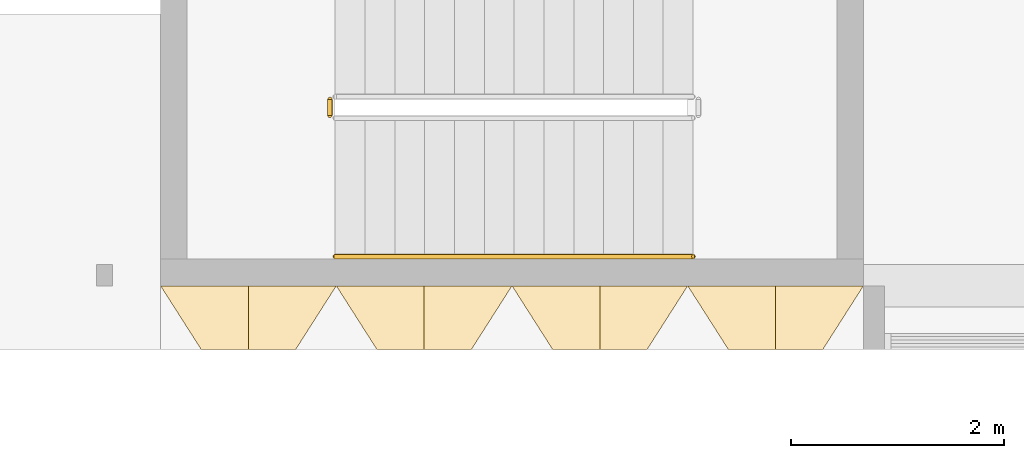
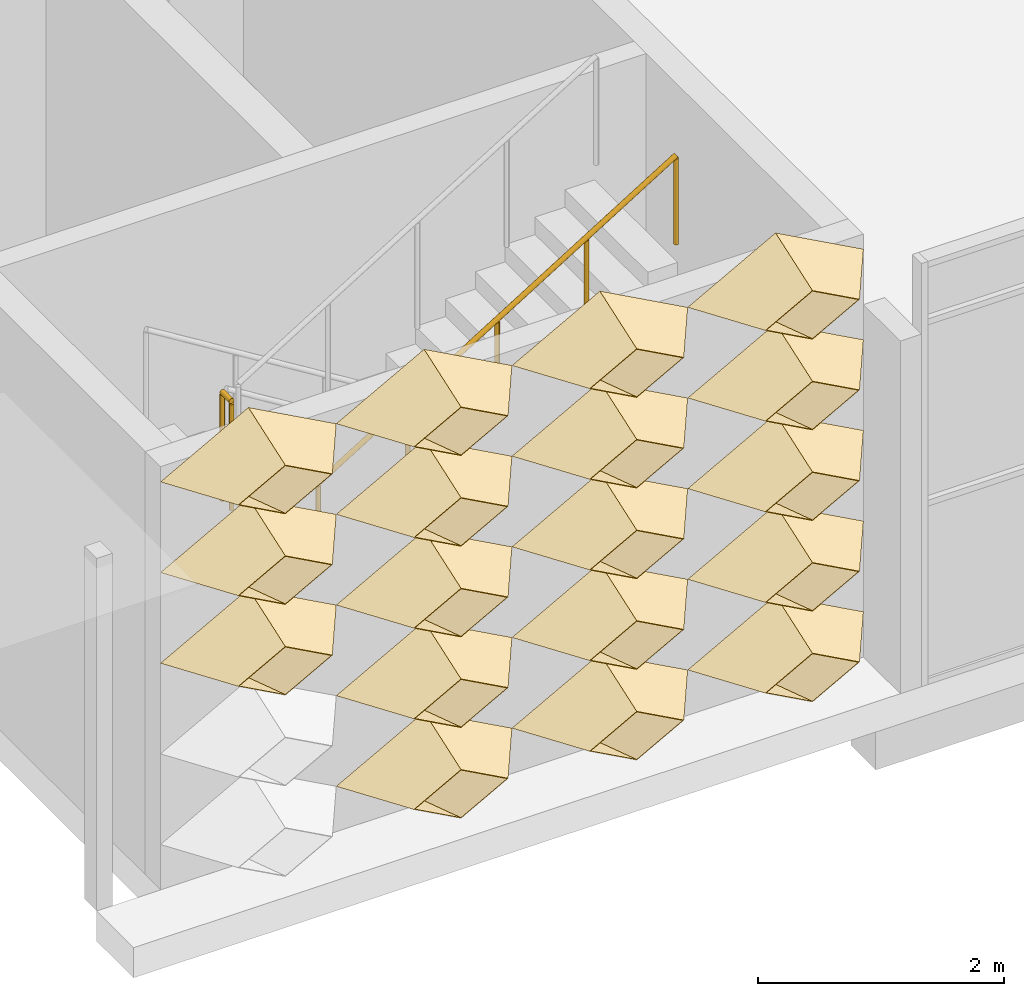
# One storey, part 68 of 109: 18 coverings, 2 railings.
"""IFC4 building model written with IfcOpenShell, lengths in metres."""

from ifc_helpers import new_model, entity, si_unit, direction, frame, origin, origin_2d, place, context, subcontext, project, spatial, circle, extrude, material, layer, layer_set, type_object, element, save


model = new_model("IFC4")

# Units and contexts
model_context = context("Model", 3, precision=1e-05, world=origin(), true_north=direction((0.0, 1.0)))
body_context = subcontext(model_context, "Body", "Model", "MODEL_VIEW")
ifc_project = project(units=[si_unit("LENGTHUNIT", "METRE"), si_unit("AREAUNIT", "SQUARE_METRE"), si_unit("VOLUMEUNIT", "CUBIC_METRE"), si_unit("PLANEANGLEUNIT", "RADIAN"), si_unit("MASSUNIT", "GRAM", prefix="KILO")], contexts=[model_context])

# Site, building, storey
site_placement = place(None, origin())
site = spatial("IfcSite", under=ifc_project, at=site_placement, CompositionType="ELEMENT")
building_placement = place(site_placement, origin())
building = spatial("IfcBuilding", under=site, at=building_placement, Name="Lantern Court Research Institute", CompositionType="ELEMENT")
storey_placement = place(building_placement, frame((0.0, 0.0, 14.39990234375)))
storey = spatial("IfcBuildingStorey", under=building, at=storey_placement, Name="L03", CompositionType="ELEMENT", Elevation=14.39990234375)

# Coverings
ifc_material_1 = material(Name="Anodised aluminium", Category="aluminium")
ifc_layer = layer(ifc_material_1, 0.01611328125)
ifc_layer_set = layer_set([ifc_layer], Name="Anodised aluminium")
covering_type = type_object("IfcCoveringType", Name="Fin cassette 1650 x 900 x 600 aluminium", PredefinedType="CLADDING", material=ifc_layer_set)
covering_1_placement = place(storey_placement, frame((55.27490234375, -7.800048828125, 0.4501953125), z_axis=(0.0, -1.0, 0.0), x_axis=(1.0, 0.0, 0.0)))
cartesian_point_1 = entity("IfcCartesianPoint", [0.824951171875, 0.0])
cartesian_point_2 = entity("IfcCartesianPoint", [0.79150390625, 0.0])
cartesian_point_3 = entity("IfcCartesianPoint", [0.44189453125, 0.0])
cartesian_point_4 = entity("IfcCartesianPoint", [0.43359375, 0.0])
element("IfcCovering", 1, at=covering_1_placement, inside=storey, type_object=covering_type, Name="Fin cassette V5S-L03 1.34", PredefinedType="CLADDING", context=body_context, shape_type="SweptSolid", body=[
    entity("IfcExtrudedAreaSolidTapered", entity("IfcArbitraryProfileDefWithVoids", "AREA", None, entity("IfcPolyline", [cartesian_point_1, entity("IfcCartesianPoint", [0.0, 0.449951171875]), entity("IfcCartesianPoint", [-0.824951171875, 0.0]), entity("IfcCartesianPoint", [0.0, -0.449951171875]), cartesian_point_1]), [entity("IfcPolyline", [cartesian_point_2, entity("IfcCartesianPoint", [0.0, 0.431884765625]), entity("IfcCartesianPoint", [-0.79150390625, 0.0]), entity("IfcCartesianPoint", [0.0, -0.431884765625]), cartesian_point_2])]), entity("IfcAxis2Placement3D", entity("IfcCartesianPoint", [0.0, 0.0, 0.0])), entity("IfcDirection", [0.0, 0.0, 1.0]), 0.60009765625, entity("IfcArbitraryProfileDefWithVoids", "AREA", None, entity("IfcPolyline", [cartesian_point_3, entity("IfcCartesianPoint", [0.0, 0.240966796875]), entity("IfcCartesianPoint", [-0.44189453125, 0.0]), entity("IfcCartesianPoint", [0.0, -0.240966796875]), cartesian_point_3]), [entity("IfcPolyline", [cartesian_point_4, entity("IfcCartesianPoint", [0.0, 0.236572265625]), entity("IfcCartesianPoint", [-0.43359375, 0.0]), entity("IfcCartesianPoint", [0.0, -0.236572265625]), cartesian_point_4])])),
])
covering_2_placement = place(storey_placement, frame((56.925048828125, -7.800048828125, 0.4501953125), z_axis=(0.0, -1.0, 0.0), x_axis=(1.0, 0.0, 0.0)))
cartesian_point_5 = entity("IfcCartesianPoint", [0.824951171875, 0.0])
cartesian_point_6 = entity("IfcCartesianPoint", [0.79150390625, 0.0])
cartesian_point_7 = entity("IfcCartesianPoint", [0.44189453125, 0.0])
cartesian_point_8 = entity("IfcCartesianPoint", [0.43359375, 0.0])
element("IfcCovering", 2, at=covering_2_placement, inside=storey, type_object=covering_type, Name="Fin cassette V5S-L03 1.35", PredefinedType="CLADDING", context=body_context, shape_type="SweptSolid", body=[
    entity("IfcExtrudedAreaSolidTapered", entity("IfcArbitraryProfileDefWithVoids", "AREA", None, entity("IfcPolyline", [cartesian_point_5, entity("IfcCartesianPoint", [0.0, 0.449951171875]), entity("IfcCartesianPoint", [-0.824951171875, 0.0]), entity("IfcCartesianPoint", [0.0, -0.449951171875]), cartesian_point_5]), [entity("IfcPolyline", [cartesian_point_6, entity("IfcCartesianPoint", [0.0, 0.431884765625]), entity("IfcCartesianPoint", [-0.79150390625, 0.0]), entity("IfcCartesianPoint", [0.0, -0.431884765625]), cartesian_point_6])]), entity("IfcAxis2Placement3D", entity("IfcCartesianPoint", [0.0, 0.0, 0.0])), entity("IfcDirection", [0.0, 0.0, 1.0]), 0.60009765625, entity("IfcArbitraryProfileDefWithVoids", "AREA", None, entity("IfcPolyline", [cartesian_point_7, entity("IfcCartesianPoint", [0.0, 0.240966796875]), entity("IfcCartesianPoint", [-0.44189453125, 0.0]), entity("IfcCartesianPoint", [0.0, -0.240966796875]), cartesian_point_7]), [entity("IfcPolyline", [cartesian_point_8, entity("IfcCartesianPoint", [0.0, 0.236572265625]), entity("IfcCartesianPoint", [-0.43359375, 0.0]), entity("IfcCartesianPoint", [0.0, -0.236572265625]), cartesian_point_8])])),
])
covering_3_placement = place(storey_placement, frame((58.574951171875, -7.800048828125, 0.4501953125), z_axis=(0.0, -1.0, 0.0), x_axis=(1.0, 0.0, 0.0)))
cartesian_point_9 = entity("IfcCartesianPoint", [0.824951171875, 0.0])
cartesian_point_10 = entity("IfcCartesianPoint", [0.79150390625, 0.0])
cartesian_point_11 = entity("IfcCartesianPoint", [0.44189453125, 0.0])
cartesian_point_12 = entity("IfcCartesianPoint", [0.43359375, 0.0])
element("IfcCovering", 3, at=covering_3_placement, inside=storey, type_object=covering_type, Name="Fin cassette V5S-L03 1.36", PredefinedType="CLADDING", context=body_context, shape_type="SweptSolid", body=[
    entity("IfcExtrudedAreaSolidTapered", entity("IfcArbitraryProfileDefWithVoids", "AREA", None, entity("IfcPolyline", [cartesian_point_9, entity("IfcCartesianPoint", [0.0, 0.449951171875]), entity("IfcCartesianPoint", [-0.824951171875, 0.0]), entity("IfcCartesianPoint", [0.0, -0.449951171875]), cartesian_point_9]), [entity("IfcPolyline", [cartesian_point_10, entity("IfcCartesianPoint", [0.0, 0.431884765625]), entity("IfcCartesianPoint", [-0.79150390625, 0.0]), entity("IfcCartesianPoint", [0.0, -0.431884765625]), cartesian_point_10])]), entity("IfcAxis2Placement3D", entity("IfcCartesianPoint", [0.0, 0.0, 0.0])), entity("IfcDirection", [0.0, 0.0, 1.0]), 0.60009765625, entity("IfcArbitraryProfileDefWithVoids", "AREA", None, entity("IfcPolyline", [cartesian_point_11, entity("IfcCartesianPoint", [0.0, 0.240966796875]), entity("IfcCartesianPoint", [-0.44189453125, 0.0]), entity("IfcCartesianPoint", [0.0, -0.240966796875]), cartesian_point_11]), [entity("IfcPolyline", [cartesian_point_12, entity("IfcCartesianPoint", [0.0, 0.236572265625]), entity("IfcCartesianPoint", [-0.43359375, 0.0]), entity("IfcCartesianPoint", [0.0, -0.236572265625]), cartesian_point_12])])),
])
covering_4_placement = place(storey_placement, frame((55.27490234375, -7.800048828125, 1.35009765625), z_axis=(0.0, -1.0, 0.0), x_axis=(1.0, 0.0, 0.0)))
cartesian_point_13 = entity("IfcCartesianPoint", [0.824951171875, 0.0])
cartesian_point_14 = entity("IfcCartesianPoint", [0.79150390625, 0.0])
cartesian_point_15 = entity("IfcCartesianPoint", [0.44189453125, 0.0])
cartesian_point_16 = entity("IfcCartesianPoint", [0.43359375, 0.0])
element("IfcCovering", 4, at=covering_4_placement, inside=storey, type_object=covering_type, Name="Fin cassette V5S-L03 2.34", PredefinedType="CLADDING", context=body_context, shape_type="SweptSolid", body=[
    entity("IfcExtrudedAreaSolidTapered", entity("IfcArbitraryProfileDefWithVoids", "AREA", None, entity("IfcPolyline", [cartesian_point_13, entity("IfcCartesianPoint", [0.0, 0.449951171875]), entity("IfcCartesianPoint", [-0.824951171875, 0.0]), entity("IfcCartesianPoint", [0.0, -0.449951171875]), cartesian_point_13]), [entity("IfcPolyline", [cartesian_point_14, entity("IfcCartesianPoint", [0.0, 0.431884765625]), entity("IfcCartesianPoint", [-0.79150390625, 0.0]), entity("IfcCartesianPoint", [0.0, -0.431884765625]), cartesian_point_14])]), entity("IfcAxis2Placement3D", entity("IfcCartesianPoint", [0.0, 0.0, 0.0])), entity("IfcDirection", [0.0, 0.0, 1.0]), 0.60009765625, entity("IfcArbitraryProfileDefWithVoids", "AREA", None, entity("IfcPolyline", [cartesian_point_15, entity("IfcCartesianPoint", [0.0, 0.240966796875]), entity("IfcCartesianPoint", [-0.44189453125, 0.0]), entity("IfcCartesianPoint", [0.0, -0.240966796875]), cartesian_point_15]), [entity("IfcPolyline", [cartesian_point_16, entity("IfcCartesianPoint", [0.0, 0.236572265625]), entity("IfcCartesianPoint", [-0.43359375, 0.0]), entity("IfcCartesianPoint", [0.0, -0.236572265625]), cartesian_point_16])])),
])
covering_5_placement = place(storey_placement, frame((56.925048828125, -7.800048828125, 1.35009765625), z_axis=(0.0, -1.0, 0.0), x_axis=(1.0, 0.0, 0.0)))
cartesian_point_17 = entity("IfcCartesianPoint", [0.824951171875, 0.0])
cartesian_point_18 = entity("IfcCartesianPoint", [0.79150390625, 0.0])
cartesian_point_19 = entity("IfcCartesianPoint", [0.44189453125, 0.0])
cartesian_point_20 = entity("IfcCartesianPoint", [0.43359375, 0.0])
element("IfcCovering", 5, at=covering_5_placement, inside=storey, type_object=covering_type, Name="Fin cassette V5S-L03 2.35", PredefinedType="CLADDING", context=body_context, shape_type="SweptSolid", body=[
    entity("IfcExtrudedAreaSolidTapered", entity("IfcArbitraryProfileDefWithVoids", "AREA", None, entity("IfcPolyline", [cartesian_point_17, entity("IfcCartesianPoint", [0.0, 0.449951171875]), entity("IfcCartesianPoint", [-0.824951171875, 0.0]), entity("IfcCartesianPoint", [0.0, -0.449951171875]), cartesian_point_17]), [entity("IfcPolyline", [cartesian_point_18, entity("IfcCartesianPoint", [0.0, 0.431884765625]), entity("IfcCartesianPoint", [-0.79150390625, 0.0]), entity("IfcCartesianPoint", [0.0, -0.431884765625]), cartesian_point_18])]), entity("IfcAxis2Placement3D", entity("IfcCartesianPoint", [0.0, 0.0, 0.0])), entity("IfcDirection", [0.0, 0.0, 1.0]), 0.60009765625, entity("IfcArbitraryProfileDefWithVoids", "AREA", None, entity("IfcPolyline", [cartesian_point_19, entity("IfcCartesianPoint", [0.0, 0.240966796875]), entity("IfcCartesianPoint", [-0.44189453125, 0.0]), entity("IfcCartesianPoint", [0.0, -0.240966796875]), cartesian_point_19]), [entity("IfcPolyline", [cartesian_point_20, entity("IfcCartesianPoint", [0.0, 0.236572265625]), entity("IfcCartesianPoint", [-0.43359375, 0.0]), entity("IfcCartesianPoint", [0.0, -0.236572265625]), cartesian_point_20])])),
])
covering_6_placement = place(storey_placement, frame((58.574951171875, -7.800048828125, 1.35009765625), z_axis=(0.0, -1.0, 0.0), x_axis=(1.0, 0.0, 0.0)))
cartesian_point_21 = entity("IfcCartesianPoint", [0.824951171875, 0.0])
cartesian_point_22 = entity("IfcCartesianPoint", [0.79150390625, 0.0])
cartesian_point_23 = entity("IfcCartesianPoint", [0.44189453125, 0.0])
cartesian_point_24 = entity("IfcCartesianPoint", [0.43359375, 0.0])
element("IfcCovering", 6, at=covering_6_placement, inside=storey, type_object=covering_type, Name="Fin cassette V5S-L03 2.36", PredefinedType="CLADDING", context=body_context, shape_type="SweptSolid", body=[
    entity("IfcExtrudedAreaSolidTapered", entity("IfcArbitraryProfileDefWithVoids", "AREA", None, entity("IfcPolyline", [cartesian_point_21, entity("IfcCartesianPoint", [0.0, 0.449951171875]), entity("IfcCartesianPoint", [-0.824951171875, 0.0]), entity("IfcCartesianPoint", [0.0, -0.449951171875]), cartesian_point_21]), [entity("IfcPolyline", [cartesian_point_22, entity("IfcCartesianPoint", [0.0, 0.431884765625]), entity("IfcCartesianPoint", [-0.79150390625, 0.0]), entity("IfcCartesianPoint", [0.0, -0.431884765625]), cartesian_point_22])]), entity("IfcAxis2Placement3D", entity("IfcCartesianPoint", [0.0, 0.0, 0.0])), entity("IfcDirection", [0.0, 0.0, 1.0]), 0.60009765625, entity("IfcArbitraryProfileDefWithVoids", "AREA", None, entity("IfcPolyline", [cartesian_point_23, entity("IfcCartesianPoint", [0.0, 0.240966796875]), entity("IfcCartesianPoint", [-0.44189453125, 0.0]), entity("IfcCartesianPoint", [0.0, -0.240966796875]), cartesian_point_23]), [entity("IfcPolyline", [cartesian_point_24, entity("IfcCartesianPoint", [0.0, 0.236572265625]), entity("IfcCartesianPoint", [-0.43359375, 0.0]), entity("IfcCartesianPoint", [0.0, -0.236572265625]), cartesian_point_24])])),
])
covering_7_placement = place(storey_placement, frame((53.625, -7.800048828125, 2.25), z_axis=(0.0, -1.0, 0.0), x_axis=(1.0, 0.0, 0.0)))
cartesian_point_25 = entity("IfcCartesianPoint", [0.824951171875, 0.0])
cartesian_point_26 = entity("IfcCartesianPoint", [0.79150390625, 0.0])
cartesian_point_27 = entity("IfcCartesianPoint", [0.44189453125, 0.0])
cartesian_point_28 = entity("IfcCartesianPoint", [0.43359375, 0.0])
element("IfcCovering", 7, at=covering_7_placement, inside=storey, type_object=covering_type, Name="Fin cassette V5S-L03 3.33", PredefinedType="CLADDING", context=body_context, shape_type="SweptSolid", body=[
    entity("IfcExtrudedAreaSolidTapered", entity("IfcArbitraryProfileDefWithVoids", "AREA", None, entity("IfcPolyline", [cartesian_point_25, entity("IfcCartesianPoint", [0.0, 0.449951171875]), entity("IfcCartesianPoint", [-0.824951171875, 0.0]), entity("IfcCartesianPoint", [0.0, -0.449951171875]), cartesian_point_25]), [entity("IfcPolyline", [cartesian_point_26, entity("IfcCartesianPoint", [0.0, 0.431884765625]), entity("IfcCartesianPoint", [-0.79150390625, 0.0]), entity("IfcCartesianPoint", [0.0, -0.431884765625]), cartesian_point_26])]), entity("IfcAxis2Placement3D", entity("IfcCartesianPoint", [0.0, 0.0, 0.0])), entity("IfcDirection", [0.0, 0.0, 1.0]), 0.60009765625, entity("IfcArbitraryProfileDefWithVoids", "AREA", None, entity("IfcPolyline", [cartesian_point_27, entity("IfcCartesianPoint", [0.0, 0.240966796875]), entity("IfcCartesianPoint", [-0.44189453125, 0.0]), entity("IfcCartesianPoint", [0.0, -0.240966796875]), cartesian_point_27]), [entity("IfcPolyline", [cartesian_point_28, entity("IfcCartesianPoint", [0.0, 0.236572265625]), entity("IfcCartesianPoint", [-0.43359375, 0.0]), entity("IfcCartesianPoint", [0.0, -0.236572265625]), cartesian_point_28])])),
])
covering_8_placement = place(storey_placement, frame((55.27490234375, -7.800048828125, 2.25), z_axis=(0.0, -1.0, 0.0), x_axis=(1.0, 0.0, 0.0)))
cartesian_point_29 = entity("IfcCartesianPoint", [0.824951171875, 0.0])
cartesian_point_30 = entity("IfcCartesianPoint", [0.79150390625, 0.0])
cartesian_point_31 = entity("IfcCartesianPoint", [0.44189453125, 0.0])
cartesian_point_32 = entity("IfcCartesianPoint", [0.43359375, 0.0])
element("IfcCovering", 8, at=covering_8_placement, inside=storey, type_object=covering_type, Name="Fin cassette V5S-L03 3.34", PredefinedType="CLADDING", context=body_context, shape_type="SweptSolid", body=[
    entity("IfcExtrudedAreaSolidTapered", entity("IfcArbitraryProfileDefWithVoids", "AREA", None, entity("IfcPolyline", [cartesian_point_29, entity("IfcCartesianPoint", [0.0, 0.449951171875]), entity("IfcCartesianPoint", [-0.824951171875, 0.0]), entity("IfcCartesianPoint", [0.0, -0.449951171875]), cartesian_point_29]), [entity("IfcPolyline", [cartesian_point_30, entity("IfcCartesianPoint", [0.0, 0.431884765625]), entity("IfcCartesianPoint", [-0.79150390625, 0.0]), entity("IfcCartesianPoint", [0.0, -0.431884765625]), cartesian_point_30])]), entity("IfcAxis2Placement3D", entity("IfcCartesianPoint", [0.0, 0.0, 0.0])), entity("IfcDirection", [0.0, 0.0, 1.0]), 0.60009765625, entity("IfcArbitraryProfileDefWithVoids", "AREA", None, entity("IfcPolyline", [cartesian_point_31, entity("IfcCartesianPoint", [0.0, 0.240966796875]), entity("IfcCartesianPoint", [-0.44189453125, 0.0]), entity("IfcCartesianPoint", [0.0, -0.240966796875]), cartesian_point_31]), [entity("IfcPolyline", [cartesian_point_32, entity("IfcCartesianPoint", [0.0, 0.236572265625]), entity("IfcCartesianPoint", [-0.43359375, 0.0]), entity("IfcCartesianPoint", [0.0, -0.236572265625]), cartesian_point_32])])),
])
covering_9_placement = place(storey_placement, frame((56.925048828125, -7.800048828125, 2.25), z_axis=(0.0, -1.0, 0.0), x_axis=(1.0, 0.0, 0.0)))
cartesian_point_33 = entity("IfcCartesianPoint", [0.824951171875, 0.0])
cartesian_point_34 = entity("IfcCartesianPoint", [0.79150390625, 0.0])
cartesian_point_35 = entity("IfcCartesianPoint", [0.44189453125, 0.0])
cartesian_point_36 = entity("IfcCartesianPoint", [0.43359375, 0.0])
element("IfcCovering", 9, at=covering_9_placement, inside=storey, type_object=covering_type, Name="Fin cassette V5S-L03 3.35", PredefinedType="CLADDING", context=body_context, shape_type="SweptSolid", body=[
    entity("IfcExtrudedAreaSolidTapered", entity("IfcArbitraryProfileDefWithVoids", "AREA", None, entity("IfcPolyline", [cartesian_point_33, entity("IfcCartesianPoint", [0.0, 0.449951171875]), entity("IfcCartesianPoint", [-0.824951171875, 0.0]), entity("IfcCartesianPoint", [0.0, -0.449951171875]), cartesian_point_33]), [entity("IfcPolyline", [cartesian_point_34, entity("IfcCartesianPoint", [0.0, 0.431884765625]), entity("IfcCartesianPoint", [-0.79150390625, 0.0]), entity("IfcCartesianPoint", [0.0, -0.431884765625]), cartesian_point_34])]), entity("IfcAxis2Placement3D", entity("IfcCartesianPoint", [0.0, 0.0, 0.0])), entity("IfcDirection", [0.0, 0.0, 1.0]), 0.60009765625, entity("IfcArbitraryProfileDefWithVoids", "AREA", None, entity("IfcPolyline", [cartesian_point_35, entity("IfcCartesianPoint", [0.0, 0.240966796875]), entity("IfcCartesianPoint", [-0.44189453125, 0.0]), entity("IfcCartesianPoint", [0.0, -0.240966796875]), cartesian_point_35]), [entity("IfcPolyline", [cartesian_point_36, entity("IfcCartesianPoint", [0.0, 0.236572265625]), entity("IfcCartesianPoint", [-0.43359375, 0.0]), entity("IfcCartesianPoint", [0.0, -0.236572265625]), cartesian_point_36])])),
])
covering_10_placement = place(storey_placement, frame((58.574951171875, -7.800048828125, 2.25), z_axis=(0.0, -1.0, 0.0), x_axis=(1.0, 0.0, 0.0)))
cartesian_point_37 = entity("IfcCartesianPoint", [0.824951171875, 0.0])
cartesian_point_38 = entity("IfcCartesianPoint", [0.79150390625, 0.0])
cartesian_point_39 = entity("IfcCartesianPoint", [0.44189453125, 0.0])
cartesian_point_40 = entity("IfcCartesianPoint", [0.43359375, 0.0])
element("IfcCovering", 10, at=covering_10_placement, inside=storey, type_object=covering_type, Name="Fin cassette V5S-L03 3.36", PredefinedType="CLADDING", context=body_context, shape_type="SweptSolid", body=[
    entity("IfcExtrudedAreaSolidTapered", entity("IfcArbitraryProfileDefWithVoids", "AREA", None, entity("IfcPolyline", [cartesian_point_37, entity("IfcCartesianPoint", [0.0, 0.449951171875]), entity("IfcCartesianPoint", [-0.824951171875, 0.0]), entity("IfcCartesianPoint", [0.0, -0.449951171875]), cartesian_point_37]), [entity("IfcPolyline", [cartesian_point_38, entity("IfcCartesianPoint", [0.0, 0.431884765625]), entity("IfcCartesianPoint", [-0.79150390625, 0.0]), entity("IfcCartesianPoint", [0.0, -0.431884765625]), cartesian_point_38])]), entity("IfcAxis2Placement3D", entity("IfcCartesianPoint", [0.0, 0.0, 0.0])), entity("IfcDirection", [0.0, 0.0, 1.0]), 0.60009765625, entity("IfcArbitraryProfileDefWithVoids", "AREA", None, entity("IfcPolyline", [cartesian_point_39, entity("IfcCartesianPoint", [0.0, 0.240966796875]), entity("IfcCartesianPoint", [-0.44189453125, 0.0]), entity("IfcCartesianPoint", [0.0, -0.240966796875]), cartesian_point_39]), [entity("IfcPolyline", [cartesian_point_40, entity("IfcCartesianPoint", [0.0, 0.236572265625]), entity("IfcCartesianPoint", [-0.43359375, 0.0]), entity("IfcCartesianPoint", [0.0, -0.236572265625]), cartesian_point_40])])),
])
covering_11_placement = place(storey_placement, frame((53.625, -7.800048828125, 3.150146484375), z_axis=(0.0, -1.0, 0.0), x_axis=(1.0, 0.0, 0.0)))
cartesian_point_41 = entity("IfcCartesianPoint", [0.824951171875, 0.0])
cartesian_point_42 = entity("IfcCartesianPoint", [0.79150390625, 0.0])
cartesian_point_43 = entity("IfcCartesianPoint", [0.44189453125, 0.0])
cartesian_point_44 = entity("IfcCartesianPoint", [0.43359375, 0.0])
element("IfcCovering", 11, at=covering_11_placement, inside=storey, type_object=covering_type, Name="Fin cassette V5S-L03 4.33", PredefinedType="CLADDING", context=body_context, shape_type="SweptSolid", body=[
    entity("IfcExtrudedAreaSolidTapered", entity("IfcArbitraryProfileDefWithVoids", "AREA", None, entity("IfcPolyline", [cartesian_point_41, entity("IfcCartesianPoint", [0.0, 0.449951171875]), entity("IfcCartesianPoint", [-0.824951171875, 0.0]), entity("IfcCartesianPoint", [0.0, -0.449951171875]), cartesian_point_41]), [entity("IfcPolyline", [cartesian_point_42, entity("IfcCartesianPoint", [0.0, 0.431884765625]), entity("IfcCartesianPoint", [-0.79150390625, 0.0]), entity("IfcCartesianPoint", [0.0, -0.431884765625]), cartesian_point_42])]), entity("IfcAxis2Placement3D", entity("IfcCartesianPoint", [0.0, 0.0, 0.0])), entity("IfcDirection", [0.0, 0.0, 1.0]), 0.60009765625, entity("IfcArbitraryProfileDefWithVoids", "AREA", None, entity("IfcPolyline", [cartesian_point_43, entity("IfcCartesianPoint", [0.0, 0.240966796875]), entity("IfcCartesianPoint", [-0.44189453125, 0.0]), entity("IfcCartesianPoint", [0.0, -0.240966796875]), cartesian_point_43]), [entity("IfcPolyline", [cartesian_point_44, entity("IfcCartesianPoint", [0.0, 0.236572265625]), entity("IfcCartesianPoint", [-0.43359375, 0.0]), entity("IfcCartesianPoint", [0.0, -0.236572265625]), cartesian_point_44])])),
])
covering_12_placement = place(storey_placement, frame((55.27490234375, -7.800048828125, 3.150146484375), z_axis=(0.0, -1.0, 0.0), x_axis=(1.0, 0.0, 0.0)))
cartesian_point_45 = entity("IfcCartesianPoint", [0.824951171875, 0.0])
cartesian_point_46 = entity("IfcCartesianPoint", [0.79150390625, 0.0])
cartesian_point_47 = entity("IfcCartesianPoint", [0.44189453125, 0.0])
cartesian_point_48 = entity("IfcCartesianPoint", [0.43359375, 0.0])
element("IfcCovering", 12, at=covering_12_placement, inside=storey, type_object=covering_type, Name="Fin cassette V5S-L03 4.34", PredefinedType="CLADDING", context=body_context, shape_type="SweptSolid", body=[
    entity("IfcExtrudedAreaSolidTapered", entity("IfcArbitraryProfileDefWithVoids", "AREA", None, entity("IfcPolyline", [cartesian_point_45, entity("IfcCartesianPoint", [0.0, 0.449951171875]), entity("IfcCartesianPoint", [-0.824951171875, 0.0]), entity("IfcCartesianPoint", [0.0, -0.449951171875]), cartesian_point_45]), [entity("IfcPolyline", [cartesian_point_46, entity("IfcCartesianPoint", [0.0, 0.431884765625]), entity("IfcCartesianPoint", [-0.79150390625, 0.0]), entity("IfcCartesianPoint", [0.0, -0.431884765625]), cartesian_point_46])]), entity("IfcAxis2Placement3D", entity("IfcCartesianPoint", [0.0, 0.0, 0.0])), entity("IfcDirection", [0.0, 0.0, 1.0]), 0.60009765625, entity("IfcArbitraryProfileDefWithVoids", "AREA", None, entity("IfcPolyline", [cartesian_point_47, entity("IfcCartesianPoint", [0.0, 0.240966796875]), entity("IfcCartesianPoint", [-0.44189453125, 0.0]), entity("IfcCartesianPoint", [0.0, -0.240966796875]), cartesian_point_47]), [entity("IfcPolyline", [cartesian_point_48, entity("IfcCartesianPoint", [0.0, 0.236572265625]), entity("IfcCartesianPoint", [-0.43359375, 0.0]), entity("IfcCartesianPoint", [0.0, -0.236572265625]), cartesian_point_48])])),
])
covering_13_placement = place(storey_placement, frame((56.925048828125, -7.800048828125, 3.150146484375), z_axis=(0.0, -1.0, 0.0), x_axis=(1.0, 0.0, 0.0)))
cartesian_point_49 = entity("IfcCartesianPoint", [0.824951171875, 0.0])
cartesian_point_50 = entity("IfcCartesianPoint", [0.79150390625, 0.0])
cartesian_point_51 = entity("IfcCartesianPoint", [0.44189453125, 0.0])
cartesian_point_52 = entity("IfcCartesianPoint", [0.43359375, 0.0])
element("IfcCovering", 13, at=covering_13_placement, inside=storey, type_object=covering_type, Name="Fin cassette V5S-L03 4.35", PredefinedType="CLADDING", context=body_context, shape_type="SweptSolid", body=[
    entity("IfcExtrudedAreaSolidTapered", entity("IfcArbitraryProfileDefWithVoids", "AREA", None, entity("IfcPolyline", [cartesian_point_49, entity("IfcCartesianPoint", [0.0, 0.449951171875]), entity("IfcCartesianPoint", [-0.824951171875, 0.0]), entity("IfcCartesianPoint", [0.0, -0.449951171875]), cartesian_point_49]), [entity("IfcPolyline", [cartesian_point_50, entity("IfcCartesianPoint", [0.0, 0.431884765625]), entity("IfcCartesianPoint", [-0.79150390625, 0.0]), entity("IfcCartesianPoint", [0.0, -0.431884765625]), cartesian_point_50])]), entity("IfcAxis2Placement3D", entity("IfcCartesianPoint", [0.0, 0.0, 0.0])), entity("IfcDirection", [0.0, 0.0, 1.0]), 0.60009765625, entity("IfcArbitraryProfileDefWithVoids", "AREA", None, entity("IfcPolyline", [cartesian_point_51, entity("IfcCartesianPoint", [0.0, 0.240966796875]), entity("IfcCartesianPoint", [-0.44189453125, 0.0]), entity("IfcCartesianPoint", [0.0, -0.240966796875]), cartesian_point_51]), [entity("IfcPolyline", [cartesian_point_52, entity("IfcCartesianPoint", [0.0, 0.236572265625]), entity("IfcCartesianPoint", [-0.43359375, 0.0]), entity("IfcCartesianPoint", [0.0, -0.236572265625]), cartesian_point_52])])),
])
covering_14_placement = place(storey_placement, frame((58.574951171875, -7.800048828125, 3.150146484375), z_axis=(0.0, -1.0, 0.0), x_axis=(1.0, 0.0, 0.0)))
cartesian_point_53 = entity("IfcCartesianPoint", [0.824951171875, 0.0])
cartesian_point_54 = entity("IfcCartesianPoint", [0.79150390625, 0.0])
cartesian_point_55 = entity("IfcCartesianPoint", [0.44189453125, 0.0])
cartesian_point_56 = entity("IfcCartesianPoint", [0.43359375, 0.0])
element("IfcCovering", 14, at=covering_14_placement, inside=storey, type_object=covering_type, Name="Fin cassette V5S-L03 4.36", PredefinedType="CLADDING", context=body_context, shape_type="SweptSolid", body=[
    entity("IfcExtrudedAreaSolidTapered", entity("IfcArbitraryProfileDefWithVoids", "AREA", None, entity("IfcPolyline", [cartesian_point_53, entity("IfcCartesianPoint", [0.0, 0.449951171875]), entity("IfcCartesianPoint", [-0.824951171875, 0.0]), entity("IfcCartesianPoint", [0.0, -0.449951171875]), cartesian_point_53]), [entity("IfcPolyline", [cartesian_point_54, entity("IfcCartesianPoint", [0.0, 0.431884765625]), entity("IfcCartesianPoint", [-0.79150390625, 0.0]), entity("IfcCartesianPoint", [0.0, -0.431884765625]), cartesian_point_54])]), entity("IfcAxis2Placement3D", entity("IfcCartesianPoint", [0.0, 0.0, 0.0])), entity("IfcDirection", [0.0, 0.0, 1.0]), 0.60009765625, entity("IfcArbitraryProfileDefWithVoids", "AREA", None, entity("IfcPolyline", [cartesian_point_55, entity("IfcCartesianPoint", [0.0, 0.240966796875]), entity("IfcCartesianPoint", [-0.44189453125, 0.0]), entity("IfcCartesianPoint", [0.0, -0.240966796875]), cartesian_point_55]), [entity("IfcPolyline", [cartesian_point_56, entity("IfcCartesianPoint", [0.0, 0.236572265625]), entity("IfcCartesianPoint", [-0.43359375, 0.0]), entity("IfcCartesianPoint", [0.0, -0.236572265625]), cartesian_point_56])])),
])
covering_15_placement = place(storey_placement, frame((53.625, -7.800048828125, 4.050048828125), z_axis=(0.0, -1.0, 0.0), x_axis=(1.0, 0.0, 0.0)))
cartesian_point_57 = entity("IfcCartesianPoint", [0.824951171875, 0.0])
cartesian_point_58 = entity("IfcCartesianPoint", [0.79150390625, 0.0])
cartesian_point_59 = entity("IfcCartesianPoint", [0.44189453125, 0.0])
cartesian_point_60 = entity("IfcCartesianPoint", [0.43359375, 0.0])
element("IfcCovering", 15, at=covering_15_placement, inside=storey, type_object=covering_type, Name="Fin cassette V5S-L03 5.33", PredefinedType="CLADDING", context=body_context, shape_type="SweptSolid", body=[
    entity("IfcExtrudedAreaSolidTapered", entity("IfcArbitraryProfileDefWithVoids", "AREA", None, entity("IfcPolyline", [cartesian_point_57, entity("IfcCartesianPoint", [0.0, 0.449951171875]), entity("IfcCartesianPoint", [-0.824951171875, 0.0]), entity("IfcCartesianPoint", [0.0, -0.449951171875]), cartesian_point_57]), [entity("IfcPolyline", [cartesian_point_58, entity("IfcCartesianPoint", [0.0, 0.431884765625]), entity("IfcCartesianPoint", [-0.79150390625, 0.0]), entity("IfcCartesianPoint", [0.0, -0.431884765625]), cartesian_point_58])]), entity("IfcAxis2Placement3D", entity("IfcCartesianPoint", [0.0, 0.0, 0.0])), entity("IfcDirection", [0.0, 0.0, 1.0]), 0.60009765625, entity("IfcArbitraryProfileDefWithVoids", "AREA", None, entity("IfcPolyline", [cartesian_point_59, entity("IfcCartesianPoint", [0.0, 0.240966796875]), entity("IfcCartesianPoint", [-0.44189453125, 0.0]), entity("IfcCartesianPoint", [0.0, -0.240966796875]), cartesian_point_59]), [entity("IfcPolyline", [cartesian_point_60, entity("IfcCartesianPoint", [0.0, 0.236572265625]), entity("IfcCartesianPoint", [-0.43359375, 0.0]), entity("IfcCartesianPoint", [0.0, -0.236572265625]), cartesian_point_60])])),
])
covering_16_placement = place(storey_placement, frame((55.27490234375, -7.800048828125, 4.050048828125), z_axis=(0.0, -1.0, 0.0), x_axis=(1.0, 0.0, 0.0)))
cartesian_point_61 = entity("IfcCartesianPoint", [0.824951171875, 0.0])
cartesian_point_62 = entity("IfcCartesianPoint", [0.79150390625, 0.0])
cartesian_point_63 = entity("IfcCartesianPoint", [0.44189453125, 0.0])
cartesian_point_64 = entity("IfcCartesianPoint", [0.43359375, 0.0])
element("IfcCovering", 16, at=covering_16_placement, inside=storey, type_object=covering_type, Name="Fin cassette V5S-L03 5.34", PredefinedType="CLADDING", context=body_context, shape_type="SweptSolid", body=[
    entity("IfcExtrudedAreaSolidTapered", entity("IfcArbitraryProfileDefWithVoids", "AREA", None, entity("IfcPolyline", [cartesian_point_61, entity("IfcCartesianPoint", [0.0, 0.449951171875]), entity("IfcCartesianPoint", [-0.824951171875, 0.0]), entity("IfcCartesianPoint", [0.0, -0.449951171875]), cartesian_point_61]), [entity("IfcPolyline", [cartesian_point_62, entity("IfcCartesianPoint", [0.0, 0.431884765625]), entity("IfcCartesianPoint", [-0.79150390625, 0.0]), entity("IfcCartesianPoint", [0.0, -0.431884765625]), cartesian_point_62])]), entity("IfcAxis2Placement3D", entity("IfcCartesianPoint", [0.0, 0.0, 0.0])), entity("IfcDirection", [0.0, 0.0, 1.0]), 0.60009765625, entity("IfcArbitraryProfileDefWithVoids", "AREA", None, entity("IfcPolyline", [cartesian_point_63, entity("IfcCartesianPoint", [0.0, 0.240966796875]), entity("IfcCartesianPoint", [-0.44189453125, 0.0]), entity("IfcCartesianPoint", [0.0, -0.240966796875]), cartesian_point_63]), [entity("IfcPolyline", [cartesian_point_64, entity("IfcCartesianPoint", [0.0, 0.236572265625]), entity("IfcCartesianPoint", [-0.43359375, 0.0]), entity("IfcCartesianPoint", [0.0, -0.236572265625]), cartesian_point_64])])),
])
covering_17_placement = place(storey_placement, frame((56.925048828125, -7.800048828125, 4.050048828125), z_axis=(0.0, -1.0, 0.0), x_axis=(1.0, 0.0, 0.0)))
cartesian_point_65 = entity("IfcCartesianPoint", [0.824951171875, 0.0])
cartesian_point_66 = entity("IfcCartesianPoint", [0.79150390625, 0.0])
cartesian_point_67 = entity("IfcCartesianPoint", [0.44189453125, 0.0])
cartesian_point_68 = entity("IfcCartesianPoint", [0.43359375, 0.0])
element("IfcCovering", 17, at=covering_17_placement, inside=storey, type_object=covering_type, Name="Fin cassette V5S-L03 5.35", PredefinedType="CLADDING", context=body_context, shape_type="SweptSolid", body=[
    entity("IfcExtrudedAreaSolidTapered", entity("IfcArbitraryProfileDefWithVoids", "AREA", None, entity("IfcPolyline", [cartesian_point_65, entity("IfcCartesianPoint", [0.0, 0.449951171875]), entity("IfcCartesianPoint", [-0.824951171875, 0.0]), entity("IfcCartesianPoint", [0.0, -0.449951171875]), cartesian_point_65]), [entity("IfcPolyline", [cartesian_point_66, entity("IfcCartesianPoint", [0.0, 0.431884765625]), entity("IfcCartesianPoint", [-0.79150390625, 0.0]), entity("IfcCartesianPoint", [0.0, -0.431884765625]), cartesian_point_66])]), entity("IfcAxis2Placement3D", entity("IfcCartesianPoint", [0.0, 0.0, 0.0])), entity("IfcDirection", [0.0, 0.0, 1.0]), 0.60009765625, entity("IfcArbitraryProfileDefWithVoids", "AREA", None, entity("IfcPolyline", [cartesian_point_67, entity("IfcCartesianPoint", [0.0, 0.240966796875]), entity("IfcCartesianPoint", [-0.44189453125, 0.0]), entity("IfcCartesianPoint", [0.0, -0.240966796875]), cartesian_point_67]), [entity("IfcPolyline", [cartesian_point_68, entity("IfcCartesianPoint", [0.0, 0.236572265625]), entity("IfcCartesianPoint", [-0.43359375, 0.0]), entity("IfcCartesianPoint", [0.0, -0.236572265625]), cartesian_point_68])])),
])
covering_18_placement = place(storey_placement, frame((58.574951171875, -7.800048828125, 4.050048828125), z_axis=(0.0, -1.0, 0.0), x_axis=(1.0, 0.0, 0.0)))
cartesian_point_69 = entity("IfcCartesianPoint", [0.824951171875, 0.0])
cartesian_point_70 = entity("IfcCartesianPoint", [0.79150390625, 0.0])
cartesian_point_71 = entity("IfcCartesianPoint", [0.44189453125, 0.0])
cartesian_point_72 = entity("IfcCartesianPoint", [0.43359375, 0.0])
element("IfcCovering", 18, at=covering_18_placement, inside=storey, type_object=covering_type, Name="Fin cassette V5S-L03 5.36", PredefinedType="CLADDING", context=body_context, shape_type="SweptSolid", body=[
    entity("IfcExtrudedAreaSolidTapered", entity("IfcArbitraryProfileDefWithVoids", "AREA", None, entity("IfcPolyline", [cartesian_point_69, entity("IfcCartesianPoint", [0.0, 0.449951171875]), entity("IfcCartesianPoint", [-0.824951171875, 0.0]), entity("IfcCartesianPoint", [0.0, -0.449951171875]), cartesian_point_69]), [entity("IfcPolyline", [cartesian_point_70, entity("IfcCartesianPoint", [0.0, 0.431884765625]), entity("IfcCartesianPoint", [-0.79150390625, 0.0]), entity("IfcCartesianPoint", [0.0, -0.431884765625]), cartesian_point_70])]), entity("IfcAxis2Placement3D", entity("IfcCartesianPoint", [0.0, 0.0, 0.0])), entity("IfcDirection", [0.0, 0.0, 1.0]), 0.60009765625, entity("IfcArbitraryProfileDefWithVoids", "AREA", None, entity("IfcPolyline", [cartesian_point_71, entity("IfcCartesianPoint", [0.0, 0.240966796875]), entity("IfcCartesianPoint", [-0.44189453125, 0.0]), entity("IfcCartesianPoint", [0.0, -0.240966796875]), cartesian_point_71]), [entity("IfcPolyline", [cartesian_point_72, entity("IfcCartesianPoint", [0.0, 0.236572265625]), entity("IfcCartesianPoint", [-0.43359375, 0.0]), entity("IfcCartesianPoint", [0.0, -0.236572265625]), cartesian_point_72])])),
])

# Railings
ifc_material_2 = material(Name="Structural steel S355", Category="steel")
railing_type_1 = type_object("IfcRailingType", Name="Stair guard 1100 steel", PredefinedType="GUARDRAIL", material=ifc_material_2)
railing_1_placement = place(storey_placement, frame((54.389892578125, -6.050048828125, 2.25)))
element("IfcRailing", 19, at=railing_1_placement, inside=storey, type_object=railing_type_1, Name="L03 ST-T1 stair guard 2", PredefinedType="GUARDRAIL", context=body_context, shape_type="SweptSolid", body=[
    extrude(circle(Radius=0.02392578125, at=origin_2d()), frame((0.0, 0.0, 1.076171875), z_axis=(0.0, -1.0, 0.0), x_axis=(1.0, 0.0, 0.0)), (0.0, 0.0, 1.0), 0.14990234375),
    extrude(circle(Radius=0.02099609375, at=origin_2d()), origin(), (0.0, 0.0, 1.0), 1.052001953125),
    extrude(circle(Radius=0.02099609375, at=origin_2d()), frame((0.0, -0.14990234375, 0.0)), (0.0, 0.0, 1.0), 1.052001953125),
])
ifc_material_3 = material(Name="Stainless steel 316", Category="steel")
railing_type_2 = type_object("IfcRailingType", Name="Stair handrail 900 steel", PredefinedType="HANDRAIL", material=ifc_material_3)
railing_2_placement = place(storey_placement, frame((54.43994140625, -7.52490234375, 2.423095703125)))
element("IfcRailing", 20, at=railing_2_placement, inside=storey, type_object=railing_type_2, Name="L03 ST-T1 stair handrail 2", PredefinedType="HANDRAIL", context=body_context, shape_type="SweptSolid", body=[
    extrude(circle(Radius=0.02392578125, at=origin_2d()), frame((0.0, 0.0, 0.8759765625), z_axis=(0.850623216509, 0.0, 0.525775754039), x_axis=(0.0, 1.0, 0.0)), (0.0, 0.0, 1.0), 3.9501953125),
    extrude(circle(Radius=0.02099609375, at=origin_2d()), origin(), (0.0, 0.0, 1.0), 0.851806640625),
    extrude(circle(Radius=0.02099609375, at=origin_2d()), frame((0.840087890625, 0.0, 0.519287109375)), (0.0, 0.0, 1.0), 0.851806640625),
    extrude(circle(Radius=0.02099609375, at=origin_2d()), frame((1.68017578125, 0.0, 1.03857421875)), (0.0, 0.0, 1.0), 0.851806640625),
    extrude(circle(Radius=0.02099609375, at=origin_2d()), frame((2.52001953125, 0.0, 1.5576171875)), (0.0, 0.0, 1.0), 0.851806640625),
    extrude(circle(Radius=0.02099609375, at=origin_2d()), frame((3.360107421875, 0.0, 2.076904296875)), (0.0, 0.0, 1.0), 0.851806640625),
])

save(model, "model.ifc")
